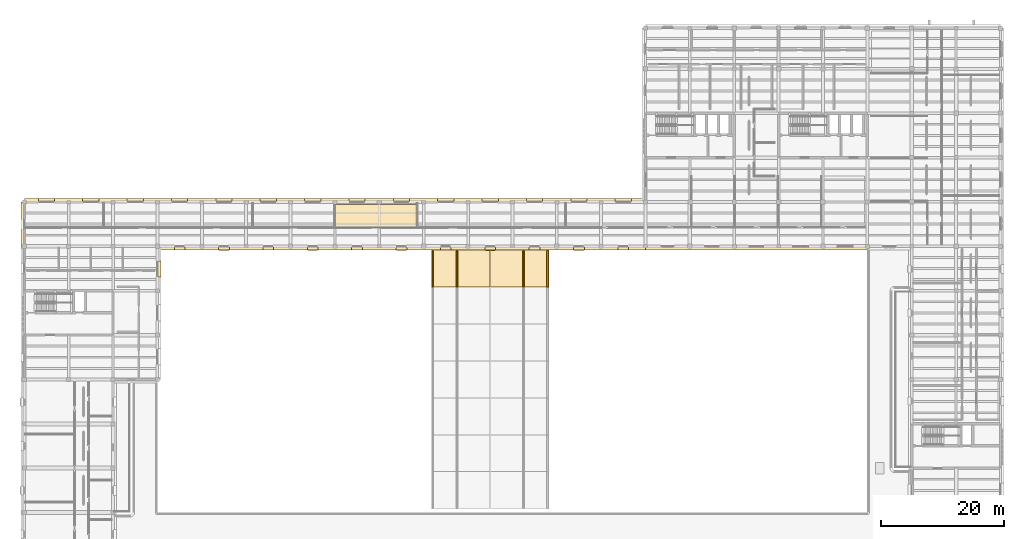
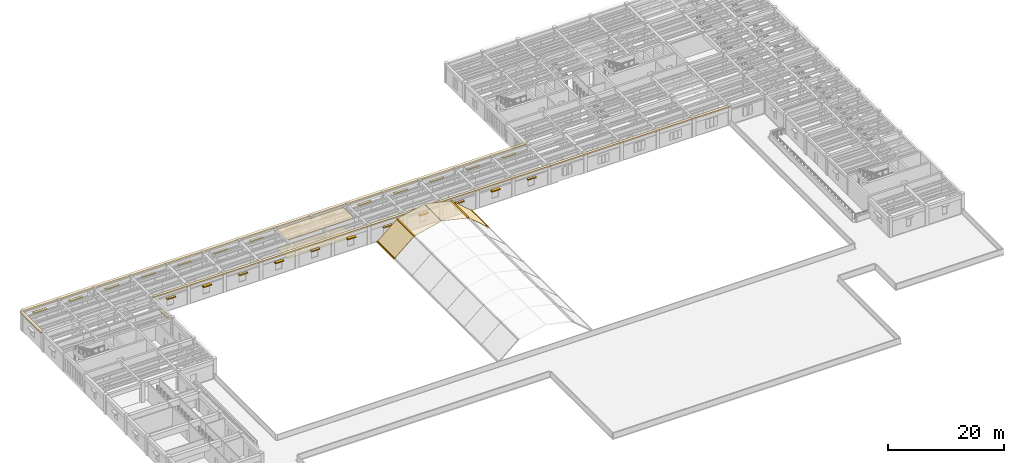
# One storey, part 36 of 40: 40 coverings, 5 shading devices.
"""IFC4 building model written with IfcOpenShell, lengths in metres."""

from ifc_helpers import new_model, si_unit, direction, frame, origin, origin_2d, place, context, subcontext, project, spatial, polyline, rectangle, outline, extrude, material, layer, layer_set, type_object, element, save


model = new_model("IFC4")

# Units and contexts
model_context = context("Model", 3, precision=1e-05, world=origin(), true_north=direction((0.0, 1.0)))
body_context = subcontext(model_context, "Body", "Model", "MODEL_VIEW")
ifc_project = project(units=[si_unit("LENGTHUNIT", "METRE"), si_unit("AREAUNIT", "SQUARE_METRE"), si_unit("VOLUMEUNIT", "CUBIC_METRE"), si_unit("PLANEANGLEUNIT", "RADIAN"), si_unit("MASSUNIT", "GRAM", prefix="KILO")], contexts=[model_context])

# Site, building, storey
site_placement = place(None, origin())
site = spatial("IfcSite", under=ifc_project, at=site_placement, CompositionType="ELEMENT")
building_placement = place(site_placement, origin())
building = spatial("IfcBuilding", under=site, at=building_placement, Name="Mithqara Police Headquarters", CompositionType="ELEMENT")
storey_placement = place(building_placement, frame((0.0, 0.0, 13.800048828125)))
storey = spatial("IfcBuildingStorey", under=building, at=storey_placement, Name="L03", CompositionType="ELEMENT", Elevation=13.800048828125)

# Coverings
ifc_material_1 = material(Name="Acoustic mineral-fibre ceiling tile", Category="gypsum")
ifc_layer_1 = layer(ifc_material_1, 0.02490234375, Name="Acoustic mineral-fibre ceiling tile")
ifc_layer_set_1 = layer_set([ifc_layer_1], Name="Acoustic mineral-fibre ceiling tile")
covering_type_1 = type_object("IfcCoveringType", Name="ACOUSTIC CEILING TILE", PredefinedType="CEILING", material=ifc_layer_set_1)
covering_1_placement = place(storey_placement, frame((0.0, 0.0, 3.9150390625)))
element("IfcCovering", 1, at=covering_1_placement, inside=storey, type_object=covering_type_1, Name="Instructor Preparation Room Acoustic Ceiling", PredefinedType="CEILING", context=body_context, shape_type="SweptSolid", body=[
    extrude(outline(polyline([(58.219970703125, 81.659912109375), (71.52490234375, 81.659912109375), (71.52490234375, 85.360107421875), (58.219970703125, 85.360107421875), (58.219970703125, 81.659912109375)])), origin(), (0.0, 0.0, 1.0), 0.02490234375),
])
ifc_material_2 = material(Name="Limestone ashlar masonry, 45 MPa", Category="masonry")
ifc_layer_2 = layer(ifc_material_2, 0.320068359375, Name="Limestone ashlar masonry, 45 MPa")
ifc_layer_set_2 = layer_set([ifc_layer_2], Name="Limestone ashlar masonry, 45 MPa")
covering_type_2 = type_object("IfcCoveringType", Name="CORNICE LIMESTONE", PredefinedType="CLADDING", material=ifc_layer_set_2)
covering_2_placement = place(storey_placement, frame((69.0, 78.320068359375, 3.919921875), z_axis=(0.0, 0.0, 1.0), x_axis=(1.0, 0.0, 0.0)))
element("IfcCovering", 2, at=covering_2_placement, inside=storey, type_object=covering_type_2, Name="L03 Projecting Ottoman Limestone Eaves Cornice 5", PredefinedType="CLADDING", context=body_context, shape_type="SweptSolid", body=[
    extrude(rectangle(XDim=79.199951171875, YDim=0.56005859375, at=origin_2d()), origin(), (0.0, 0.0, 1.0), 0.280029296875),
])
covering_3_placement = place(storey_placement, frame((126.60009765625, 78.320068359375, 3.919921875), z_axis=(0.0, 0.0, 1.0), x_axis=(1.0, 0.0, 0.0)))
element("IfcCovering", 3, at=covering_3_placement, inside=storey, type_object=covering_type_2, Name="L03 Projecting Ottoman Limestone Eaves Cornice 6", PredefinedType="CLADDING", context=body_context, shape_type="SweptSolid", body=[
    extrude(rectangle(XDim=36.0, YDim=0.56005859375, at=origin_2d()), origin(), (0.0, 0.0, 1.0), 0.280029296875),
])
covering_4_placement = place(storey_placement, frame((58.199951171875, 86.080078125, 3.919921875), z_axis=(0.0, 0.0, 1.0), x_axis=(1.0, 0.0, 0.0)))
element("IfcCovering", 4, at=covering_4_placement, inside=storey, type_object=covering_type_2, Name="L03 Projecting Ottoman Limestone Eaves Cornice 15", PredefinedType="CLADDING", context=body_context, shape_type="SweptSolid", body=[
    extrude(rectangle(XDim=100.800048828125, YDim=0.56005859375, at=origin_2d()), origin(), (0.0, 0.0, 1.0), 0.280029296875),
])
covering_5_placement = place(storey_placement, frame((7.52001953125, 82.199951171875, 3.919921875), z_axis=(0.0, 0.0, 1.0), x_axis=(0.0, 1.0, 0.0)))
element("IfcCovering", 5, at=covering_5_placement, inside=storey, type_object=covering_type_2, Name="L03 Projecting Ottoman Limestone Eaves Cornice 16", PredefinedType="CLADDING", context=body_context, shape_type="SweptSolid", body=[
    extrude(rectangle(XDim=7.199951171875, YDim=0.56005859375, at=origin_2d()), origin(), (0.0, 0.0, 1.0), 0.280029296875),
])
for number, where, z_axis, x_axis, name in (
    (6, (74.046875, 74.95703125, 0.1796875), (0.0, 0.0, 1.0), (1.0, 0.0, 0.0), "Arch Flashing Seam Trim B7-K1"),
    (7, (78.0, 74.95703125, 3.54736328125), (0.0, 0.0, 1.0), (1.0, 0.0, 0.0), "Arch Flashing Seam Trim B7-K2"),
    (8, (88.800048828125, 74.95703125, 3.54736328125), (0.0, 0.0, 1.0), (1.0, 0.0, 0.0), "Arch Flashing Seam Trim B7-K4"),
    (9, (92.753173828125, 74.95703125, 0.1796875), (0.0, 0.0, 1.0), (1.0, 0.0, 0.0), "Arch Flashing Seam Trim B7-K5"),
):
    element("IfcCovering", number, at=place(storey_placement, frame(where, z_axis=z_axis, x_axis=x_axis)), inside=storey, type_object=covering_type_2, Name=name, PredefinedType="CLADDING", context=body_context, shape_type="SweptSolid", body=[
        extrude(rectangle(XDim=0.300048828125, YDim=6.02587890625, at=origin_2d()), origin(), (0.0, 0.0, 1.0), 0.300048828125),
    ])

# Shading devices
ifc_material_3 = material(Name="Bronze anodised aluminium 6063-T6", Category="aluminium")
shading_device_type = type_object("IfcShadingDeviceType", Name="SOLAR LOUVRE BRONZE", PredefinedType="JALOUSIE", material=ifc_material_3)
for number, where, z_axis, x_axis, name in (
    (10, (40.199951171875, 78.199951171875, 2.829833984375), (0.0, 0.0, 1.0), (1.0, 0.0, 0.0), "L03 Window Solar Louvre Hood 5.2"),
    (11, (54.60009765625, 78.199951171875, 2.829833984375), (0.0, 0.0, 1.0), (1.0, 0.0, 0.0), "L03 Window Solar Louvre Hood 5.4"),
    (12, (69.0, 78.199951171875, 2.829833984375), (0.0, 0.0, 1.0), (1.0, 0.0, 0.0), "L03 Window Solar Louvre Hood 5.6"),
    (13, (83.39990234375, 78.199951171875, 2.829833984375), (0.0, 0.0, 1.0), (1.0, 0.0, 0.0), "L03 Window Solar Louvre Hood 5.8"),
    (14, (97.800048828125, 78.199951171875, 2.829833984375), (0.0, 0.0, 1.0), (1.0, 0.0, 0.0), "L03 Window Solar Louvre Hood 5.10"),
):
    element("IfcShadingDevice", number, at=place(storey_placement, frame(where, z_axis=z_axis, x_axis=x_axis)), inside=storey, type_object=shading_device_type, Name=name, PredefinedType="JALOUSIE", context=body_context, shape_type="SweptSolid", body=[
        extrude(rectangle(XDim=1.60009765625, YDim=0.60009765625, at=origin_2d()), origin(), (0.0, 0.0, 1.0), 0.10009765625),
    ])

# Coverings
ifc_material_4 = material(Name="Standing seam zinc-aluminium roofing", Category="aluminium")
ifc_layer_3 = layer(ifc_material_4, 0.0400390625, Name="Standing seam zinc-aluminium roofing")
ifc_layer_set_3 = layer_set([ifc_layer_3], Name="Standing seam zinc-aluminium roofing")
covering_type_3 = type_object("IfcCoveringType", Name="STANDING SEAM ROOFING", PredefinedType="ROOFING", material=ifc_layer_set_3)
covering_6_placement = place(storey_placement, frame((74.0986328125, 71.96728515625, 0.484130859375), z_axis=(-0.648438477764, 0.0, 0.761267062571), x_axis=(0.761267062571, 0.0, 0.648438477764)))
element("IfcCovering", 15, at=covering_6_placement, inside=storey, type_object=covering_type_3, Name="Public Entrance Hall Barrel Vault Shell Strip Bay 7 Facet 2 Standing-Seam Metal Cladding", PredefinedType="ROOFING", context=body_context, shape_type="SweptSolid", body=[
    extrude(outline(polyline([(0.0, 0.0), (5.056844784537099, 0.0), (5.056844784537099, 5.979736328125), (0.0, 5.979736328125), (0.0, 0.0)])), origin(), (0.0, 0.0, -1.0), 0.0400390625),
])
for number, where, z_axis, x_axis, name in (
    (16, (78.06640625, 71.96728515625, 3.822509765625), (-0.222548724281, 0.0, 0.974921568805), (0.974921568805, 0.0, 0.222548724281), "Public Entrance Hall Barrel Vault Shell Strip Bay 7 Facet 3 Standing-Seam Metal Cladding"),
    (17, (83.46630859375, 71.96728515625, 5.02490234375), (0.222548724281, 0.0, 0.974921568805), (0.974921568805, 0.0, -0.222548724281), "Public Entrance Hall Barrel Vault Shell Strip Bay 7 Facet 4 Standing-Seam Metal Cladding"),
):
    element("IfcCovering", number, at=place(storey_placement, frame(where, z_axis=z_axis, x_axis=x_axis)), inside=storey, type_object=covering_type_3, Name=name, PredefinedType="ROOFING", context=body_context, shape_type="SweptSolid", body=[
        extrude(outline(polyline([(0.0, 0.0), (5.4028284458126095, 0.0), (5.4028284458126095, 5.979736328125001), (0.0, 5.979736328125001), (0.0, 0.0)])), origin(), (0.0, 0.0, -1.0), 0.0400390625),
    ])
covering_7_placement = place(storey_placement, frame((88.851806640625, 71.96728515625, 3.76318359375), z_axis=(0.648438477764, 0.0, 0.761267062571), x_axis=(0.761267062571, 0.0, -0.648438477764)))
element("IfcCovering", 18, at=covering_7_placement, inside=storey, type_object=covering_type_3, Name="Public Entrance Hall Barrel Vault Shell Strip Bay 7 Facet 5 Standing-Seam Metal Cladding", PredefinedType="ROOFING", context=body_context, shape_type="SweptSolid", body=[
    extrude(outline(polyline([(0.0, 0.0), (5.056844784537099, 0.0), (5.056844784537099, 5.979736328125), (0.0, 5.979736328125), (0.0, 0.0)])), origin(), (0.0, 0.0, -1.0), 0.0400390625),
])
ifc_material_5 = material(Name="Polished limestone terrazzo flooring", Category="masonry")
ifc_layer_4 = layer(ifc_material_5, 0.02001953125, Name="Polished limestone terrazzo flooring")
ifc_layer_set_4 = layer_set([ifc_layer_4], Name="Polished limestone terrazzo flooring")
covering_type_4 = type_object("IfcCoveringType", Name="TERRAZZO FLOOR FINISH", PredefinedType="FLOORING", material=ifc_layer_set_4)
covering_8_placement = place(storey_placement, origin())
element("IfcCovering", 19, at=covering_8_placement, inside=storey, type_object=covering_type_4, Name="Instructor Preparation Room Terrazzo Floor Finish", PredefinedType="FLOORING", context=body_context, shape_type="SweptSolid", body=[
    extrude(outline(polyline([(58.219970703125, 81.659912109375), (71.52490234375, 81.659912109375), (71.52490234375, 85.360107421875), (58.219970703125, 85.360107421875), (58.219970703125, 81.659912109375)])), origin(), (0.0, 0.0, 1.0), 0.02001953125),
])
ifc_layer_5 = layer(ifc_material_2, 0.239990234375, Name="Limestone ashlar masonry, 45 MPa")
ifc_layer_set_5 = layer_set([ifc_layer_5], Name="Limestone ashlar masonry, 45 MPa")
covering_type_5 = type_object("IfcCoveringType", Name="WINDOW HOOD LIMESTONE", PredefinedType="CLADDING", material=ifc_layer_set_5)
covering_9_placement = place(storey_placement, frame((29.739990234375, 74.925048828125, 2.3701171875), z_axis=(0.0, 0.0, 1.0), x_axis=(0.0, 1.0, 0.0)))
element("IfcCovering", 20, at=covering_9_placement, inside=storey, type_object=covering_type_5, Name="L03 Limestone Window Architrave Hood 4.3", PredefinedType="CLADDING", context=body_context, shape_type="SweptSolid", body=[
    extrude(rectangle(XDim=2.639892578125, YDim=0.4599609375, at=origin_2d()), origin(), (0.0, 0.0, 1.0), 0.219970703125),
])
for number, where, z_axis, x_axis, name in (
    (21, (33.0, 78.260009765625, 2.6201171875), (0.0, 0.0, 1.0), (1.0, 0.0, 0.0), "L03 Limestone Window Architrave Hood 5.1"),
    (22, (40.199951171875, 78.260009765625, 2.6201171875), (0.0, 0.0, 1.0), (1.0, 0.0, 0.0), "L03 Limestone Window Architrave Hood 5.2"),
    (23, (47.39990234375, 78.260009765625, 2.6201171875), (0.0, 0.0, 1.0), (1.0, 0.0, 0.0), "L03 Limestone Window Architrave Hood 5.3"),
    (24, (54.60009765625, 78.260009765625, 2.6201171875), (0.0, 0.0, 1.0), (1.0, 0.0, 0.0), "L03 Limestone Window Architrave Hood 5.4"),
    (25, (61.800048828125, 78.260009765625, 2.6201171875), (0.0, 0.0, 1.0), (1.0, 0.0, 0.0), "L03 Limestone Window Architrave Hood 5.5"),
    (26, (69.0, 78.260009765625, 2.6201171875), (0.0, 0.0, 1.0), (1.0, 0.0, 0.0), "L03 Limestone Window Architrave Hood 5.6"),
    (27, (76.199951171875, 78.260009765625, 2.6201171875), (0.0, 0.0, 1.0), (1.0, 0.0, 0.0), "L03 Limestone Window Architrave Hood 5.7"),
    (28, (83.39990234375, 78.260009765625, 2.6201171875), (0.0, 0.0, 1.0), (1.0, 0.0, 0.0), "L03 Limestone Window Architrave Hood 5.8"),
    (29, (90.60009765625, 78.260009765625, 2.6201171875), (0.0, 0.0, 1.0), (1.0, 0.0, 0.0), "L03 Limestone Window Architrave Hood 5.9"),
    (30, (97.800048828125, 78.260009765625, 2.6201171875), (0.0, 0.0, 1.0), (1.0, 0.0, 0.0), "L03 Limestone Window Architrave Hood 5.10"),
    (31, (105.0, 78.260009765625, 2.6201171875), (0.0, 0.0, 1.0), (1.0, 0.0, 0.0), "L03 Limestone Window Architrave Hood 5.11"),
):
    element("IfcCovering", number, at=place(storey_placement, frame(where, z_axis=z_axis, x_axis=x_axis)), inside=storey, type_object=covering_type_5, Name=name, PredefinedType="CLADDING", context=body_context, shape_type="SweptSolid", body=[
        extrude(rectangle(XDim=1.739990234375, YDim=0.4599609375, at=origin_2d()), origin(), (0.0, 0.0, 1.0), 0.219970703125),
    ])
for number, where, z_axis, x_axis, name in (
    (32, (11.39990234375, 86.139892578125, 2.6201171875), (0.0, 0.0, 1.0), (1.0, 0.0, 0.0), "L03 Limestone Window Architrave Hood 15.1"),
    (33, (18.60009765625, 86.139892578125, 2.6201171875), (0.0, 0.0, 1.0), (1.0, 0.0, 0.0), "L03 Limestone Window Architrave Hood 15.2"),
    (34, (25.800048828125, 86.139892578125, 2.6201171875), (0.0, 0.0, 1.0), (1.0, 0.0, 0.0), "L03 Limestone Window Architrave Hood 15.3"),
    (35, (33.0, 86.139892578125, 2.6201171875), (0.0, 0.0, 1.0), (1.0, 0.0, 0.0), "L03 Limestone Window Architrave Hood 15.4"),
    (36, (40.199951171875, 86.139892578125, 2.6201171875), (0.0, 0.0, 1.0), (1.0, 0.0, 0.0), "L03 Limestone Window Architrave Hood 15.5"),
    (37, (47.39990234375, 86.139892578125, 2.6201171875), (0.0, 0.0, 1.0), (1.0, 0.0, 0.0), "L03 Limestone Window Architrave Hood 15.6"),
    (38, (54.60009765625, 86.139892578125, 2.6201171875), (0.0, 0.0, 1.0), (1.0, 0.0, 0.0), "L03 Limestone Window Architrave Hood 15.7"),
    (39, (61.800048828125, 86.139892578125, 2.6201171875), (0.0, 0.0, 1.0), (1.0, 0.0, 0.0), "L03 Limestone Window Architrave Hood 15.8"),
    (40, (69.0, 86.139892578125, 2.6201171875), (0.0, 0.0, 1.0), (1.0, 0.0, 0.0), "L03 Limestone Window Architrave Hood 15.9"),
    (41, (76.199951171875, 86.139892578125, 2.6201171875), (0.0, 0.0, 1.0), (1.0, 0.0, 0.0), "L03 Limestone Window Architrave Hood 15.10"),
    (42, (83.39990234375, 86.139892578125, 2.6201171875), (0.0, 0.0, 1.0), (1.0, 0.0, 0.0), "L03 Limestone Window Architrave Hood 15.11"),
    (43, (90.60009765625, 86.139892578125, 2.6201171875), (0.0, 0.0, 1.0), (1.0, 0.0, 0.0), "L03 Limestone Window Architrave Hood 15.12"),
    (44, (97.800048828125, 86.139892578125, 2.6201171875), (0.0, 0.0, 1.0), (1.0, 0.0, 0.0), "L03 Limestone Window Architrave Hood 15.13"),
    (45, (105.0, 86.139892578125, 2.6201171875), (0.0, 0.0, 1.0), (1.0, 0.0, 0.0), "L03 Limestone Window Architrave Hood 15.14"),
):
    element("IfcCovering", number, at=place(storey_placement, frame(where, z_axis=z_axis, x_axis=x_axis)), inside=storey, type_object=covering_type_5, Name=name, PredefinedType="CLADDING", context=body_context, shape_type="SweptSolid", body=[
        extrude(rectangle(XDim=2.639892578125, YDim=0.4599609375, at=origin_2d()), origin(), (0.0, 0.0, 1.0), 0.219970703125),
    ])

save(model, "model.ifc")
